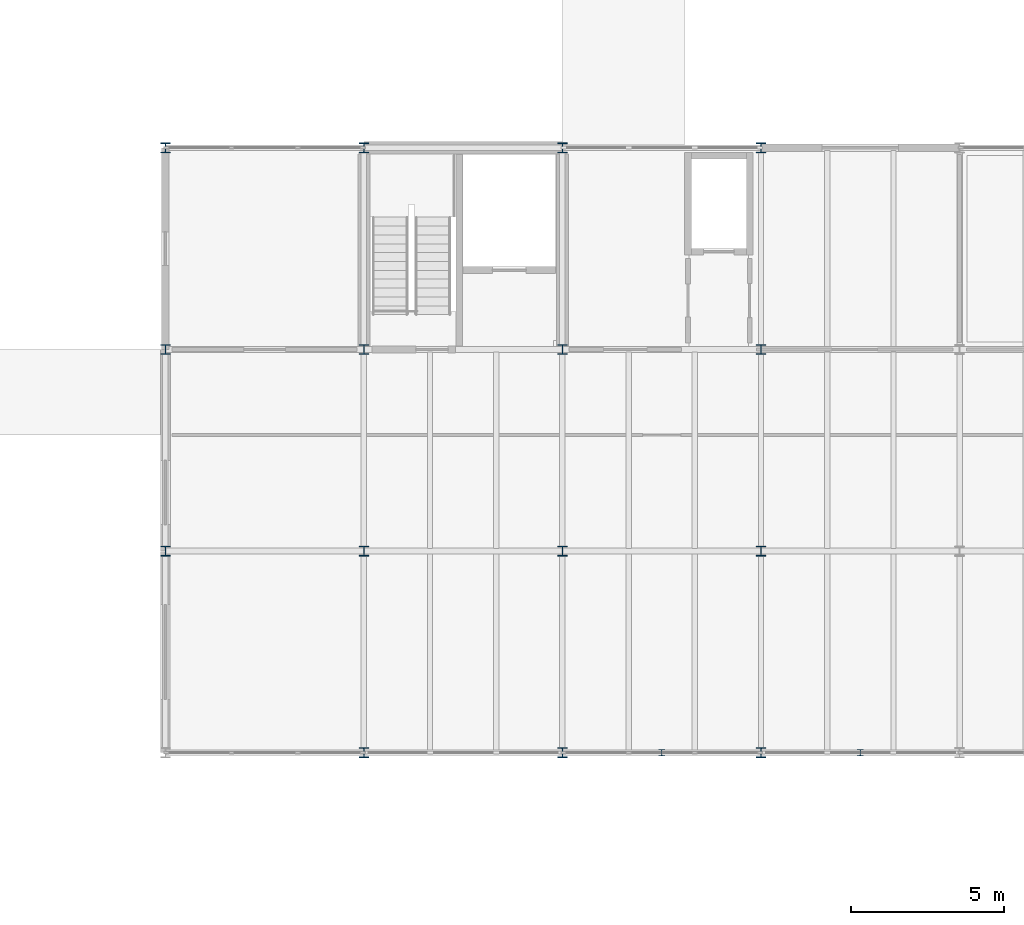
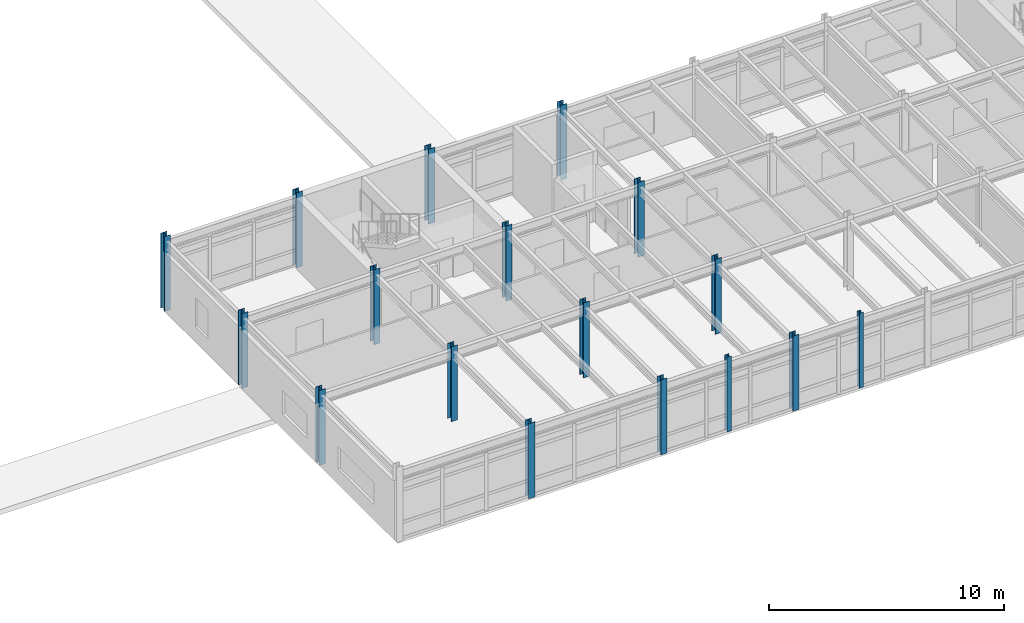
# One storey, part 4 of 49: 17 columns.
"""IFC4 building model written with IfcOpenShell, lengths in metres."""

from ifc_helpers import new_model, si_unit, direction, frame, origin, origin_2d, place, context, subcontext, project, spatial, i_section, extrude, material, material_profile, profile_set, type_object, element, save


model = new_model("IFC4")

# Units and contexts
model_context = context("Model", 3, precision=1e-05, world=origin(), true_north=direction((0.0, 1.0)))
body_context = subcontext(model_context, "Body", "Model", "MODEL_VIEW")
ifc_project = project(units=[si_unit("LENGTHUNIT", "METRE"), si_unit("AREAUNIT", "SQUARE_METRE"), si_unit("VOLUMEUNIT", "CUBIC_METRE"), si_unit("PLANEANGLEUNIT", "RADIAN"), si_unit("MASSUNIT", "GRAM", prefix="KILO")], contexts=[model_context])

# Site, building, storey
site_placement = place(None, origin())
site = spatial("IfcSite", under=ifc_project, at=site_placement, CompositionType="ELEMENT")
building_placement = place(site_placement, origin())
building = spatial("IfcBuilding", under=site, at=building_placement, Name="Trelmorton Wharf Fire Station", CompositionType="ELEMENT")
storey_placement = place(building_placement, frame((0.0, 0.0, 9.60009765625)))
storey = spatial("IfcBuildingStorey", under=building, at=storey_placement, Name="L02", CompositionType="ELEMENT", Elevation=9.60009765625)

# Columns
ifc_material = material(Name="Steel Grade 350", Category="steel")
ifc_material_profile_1 = material_profile(ifc_material, i_section(OverallWidth=0.30908203125, OverallDepth=0.321044921875, WebThickness=0.013916015625, FlangeThickness=0.021728515625, FilletRadius=0.0166015625, at=origin_2d()), Name="310UC137")
ifc_profile_set_1 = profile_set([ifc_material_profile_1], Name="Steel Grade 350")
column_type_1 = type_object("IfcColumnType", Name="COL_310UC137", PredefinedType="COLUMN", material=ifc_profile_set_1)
for number, where, z_axis, x_axis, name in (
    (1, (104.0, 14.39990234375, 0.0), (0.0, 0.0, 1.0), (1.0, 0.0, 0.0), "COL-L02-0505"),
    (2, (104.0, 21.0, 0.0), (0.0, 0.0, 1.0), (1.0, 0.0, 0.0), "COL-L02-0506"),
    (3, (104.0, 27.60009765625, 0.0), (0.0, 0.0, 1.0), (1.0, 0.0, 0.0), "COL-L02-0507"),
    (4, (110.5, 7.800048828125, 0.0), (0.0, 0.0, 1.0), (1.0, 0.0, 0.0), "COL-L02-0512"),
    (5, (110.5, 14.39990234375, 0.0), (0.0, 0.0, 1.0), (1.0, 0.0, 0.0), "COL-L02-0513"),
    (6, (110.5, 21.0, 0.0), (0.0, 0.0, 1.0), (1.0, 0.0, 0.0), "COL-L02-0514"),
    (7, (110.5, 27.60009765625, 0.0), (0.0, 0.0, 1.0), (1.0, 0.0, 0.0), "COL-L02-0515"),
    (8, (117.0, 7.800048828125, 0.0), (0.0, 0.0, 1.0), (1.0, 0.0, 0.0), "COL-L02-0520"),
    (9, (117.0, 14.39990234375, 0.0), (0.0, 0.0, 1.0), (1.0, 0.0, 0.0), "COL-L02-0521"),
    (10, (117.0, 21.0, 0.0), (0.0, 0.0, 1.0), (1.0, 0.0, 0.0), "COL-L02-0522"),
    (11, (117.0, 27.60009765625, 0.0), (0.0, 0.0, 1.0), (1.0, 0.0, 0.0), "COL-L02-0523"),
    (12, (123.5, 7.800048828125, 0.0), (0.0, 0.0, 1.0), (1.0, 0.0, 0.0), "COL-L02-0528"),
    (13, (123.5, 14.39990234375, 0.0), (0.0, 0.0, 1.0), (1.0, 0.0, 0.0), "COL-L02-0529"),
    (14, (123.5, 21.0, 0.0), (0.0, 0.0, 1.0), (1.0, 0.0, 0.0), "COL-L02-0530"),
    (15, (123.5, 27.60009765625, 0.0), (0.0, 0.0, 1.0), (1.0, 0.0, 0.0), "COL-L02-0531"),
):
    element("IfcColumn", number, at=place(storey_placement, frame(where, z_axis=z_axis, x_axis=x_axis)), inside=storey, type_object=column_type_1, Name=name, PredefinedType="COLUMN", context=body_context, shape_type="SweptSolid", body=[
        extrude(i_section(OverallWidth=0.30908203125, OverallDepth=0.321044921875, WebThickness=0.013916015625, FlangeThickness=0.021728515625, FilletRadius=0.0166015625, at=origin_2d()), origin(), (0.0, 0.0, 1.0), 3.89990234375),
    ])
ifc_material_profile_2 = material_profile(ifc_material, i_section(OverallWidth=0.205078125, OverallDepth=0.2099609375, WebThickness=0.00927734375, FlangeThickness=0.01416015625, FilletRadius=0.011474609375, at=origin_2d()), Name="200UC59.5")
ifc_profile_set_2 = profile_set([ifc_material_profile_2], Name="Steel Grade 350")
column_type_2 = type_object("IfcColumnType", Name="PIL_200UC60", PredefinedType="PILASTER", material=ifc_profile_set_2)
for number, where, z_axis, x_axis, name in (
    (16, (120.25, 7.800048828125, 0.0), (0.0, 0.0, 1.0), (1.0, 0.0, 0.0), "PIL-S-L02-006"),
    (17, (126.75, 7.800048828125, 0.0), (0.0, 0.0, 1.0), (1.0, 0.0, 0.0), "PIL-S-L02-014"),
):
    element("IfcColumn", number, at=place(storey_placement, frame(where, z_axis=z_axis, x_axis=x_axis)), inside=storey, type_object=column_type_2, Name=name, PredefinedType="PILASTER", context=body_context, shape_type="SweptSolid", body=[
        extrude(i_section(OverallWidth=0.205078125, OverallDepth=0.2099609375, WebThickness=0.00927734375, FlangeThickness=0.01416015625, FilletRadius=0.011474609375, at=origin_2d()), origin(), (0.0, 0.0, 1.0), 3.89990234375),
    ])

save(model, "model.ifc")
